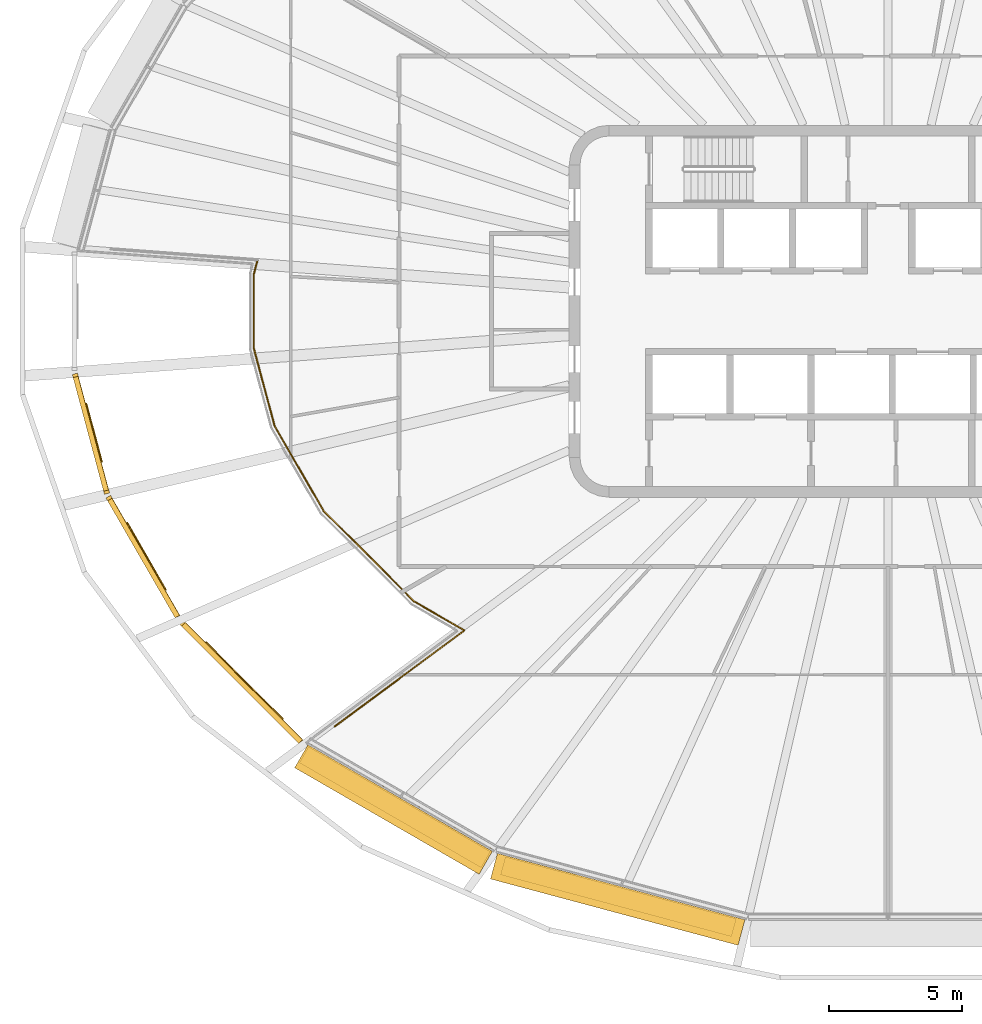
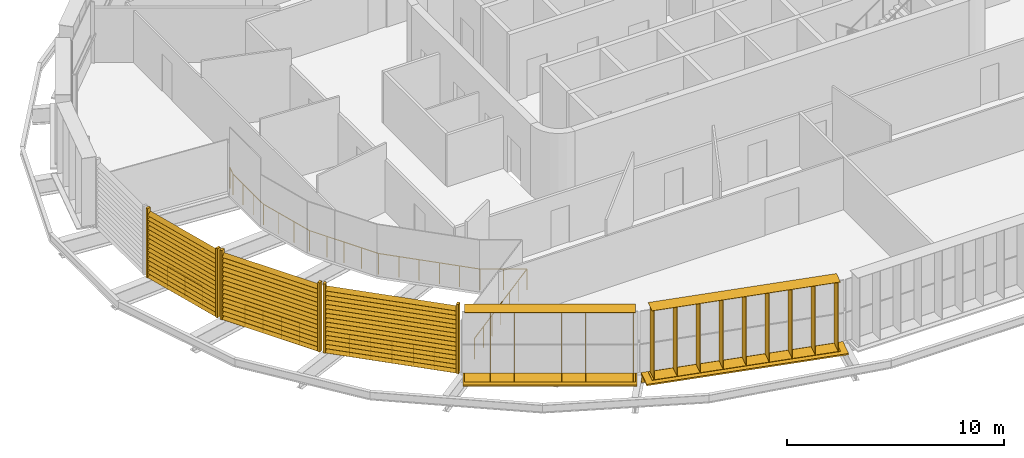
# One storey, part 16 of 20: 7 shading devices, 4 railings.
"""IFC4 building model written with IfcOpenShell, lengths in metres."""

from ifc_helpers import new_model, si_unit, direction, frame, origin, origin_2d, place, context, subcontext, project, spatial, rectangle, circle, extrude, material, type_object, element, save


model = new_model("IFC4")

# Units and contexts
model_context = context("Model", 3, precision=1e-05, world=origin(), true_north=direction((0.0, 1.0)))
body_context = subcontext(model_context, "Body", "Model", "MODEL_VIEW")
ifc_project = project(units=[si_unit("LENGTHUNIT", "METRE"), si_unit("AREAUNIT", "SQUARE_METRE"), si_unit("VOLUMEUNIT", "CUBIC_METRE"), si_unit("PLANEANGLEUNIT", "RADIAN"), si_unit("MASSUNIT", "GRAM", prefix="KILO")], contexts=[model_context])

# Site, building, storey
site_placement = place(None, origin())
site = spatial("IfcSite", under=ifc_project, at=site_placement, CompositionType="ELEMENT")
building_placement = place(site_placement, origin())
building = spatial("IfcBuilding", under=site, at=building_placement, Name="Sahrelin Media Tower", CompositionType="ELEMENT")
storey_placement = place(building_placement, frame((0.0, 0.0, 225.60009765625)))
storey = spatial("IfcBuildingStorey", under=building, at=storey_placement, Name="L48", CompositionType="ELEMENT", Elevation=225.60009765625)

# Shading devices
ifc_material_1 = material(Name="Champagne anodised aluminium 6063-T6", Category="aluminium")
shading_device_type_1 = type_object("IfcShadingDeviceType", Name="Fin cassette", PredefinedType="USERDEFINED", material=ifc_material_1)
placement_1 = place(storey_placement, frame((-18.352294921875, -18.30078125, 0.0), z_axis=(0.0, 0.0, 1.0), x_axis=(-0.866019052629, 0.500011000363, 0.0)))
element("IfcShadingDevice", 1, at=placement_1, inside=storey, type_object=shading_device_type_1, Name="L48:FIN:L48-16", ObjectType="FIN", PredefinedType="USERDEFINED", context=body_context, shape_type="SweptSolid", body=[
    extrude(rectangle(XDim=7.89990234375, YDim=0.699951171875, at=origin_2d()), frame((0.0, 0.419921875, 0.0)), (0.0, 0.0, 1.0), 0.02001953125),
    extrude(rectangle(XDim=7.89990234375, YDim=0.699951171875, at=origin_2d()), frame((0.0, 0.419921875, 3.89990234375)), (0.0, 0.0, 1.0), 0.02001953125),
    extrude(rectangle(XDim=0.02001953125, YDim=0.699951171875, at=origin_2d()), frame((-3.85009765625, 0.419921875, 0.010009765625), z_axis=(0.0, 0.0, 1.0), x_axis=(1.0, 0.0, 0.0)), (0.0, 0.0, 1.0), 3.89990234375),
    extrude(rectangle(XDim=0.02001953125, YDim=0.699951171875, at=origin_2d()), frame((-2.75, 0.419921875, 0.010009765625), z_axis=(0.0, 0.0, 1.0), x_axis=(1.0, 0.0, 0.0)), (0.0, 0.0, 1.0), 3.89990234375),
    extrude(rectangle(XDim=0.02001953125, YDim=0.699951171875, at=origin_2d()), frame((-1.64990234375, 0.419921875, 0.010009765625), z_axis=(0.0, 0.0, 1.0), x_axis=(1.0, 0.0, 0.0)), (0.0, 0.0, 1.0), 3.89990234375),
    extrude(rectangle(XDim=0.02001953125, YDim=0.699951171875, at=origin_2d()), frame((-0.550048828125, 0.419921875, 0.010009765625), z_axis=(0.0, 0.0, 1.0), x_axis=(1.0, 0.0, 0.0)), (0.0, 0.0, 1.0), 3.89990234375),
    extrude(rectangle(XDim=0.02001953125, YDim=0.699951171875, at=origin_2d()), frame((0.550048828125, 0.419921875, 0.010009765625), z_axis=(0.0, 0.0, 1.0), x_axis=(1.0, 0.0, 0.0)), (0.0, 0.0, 1.0), 3.89990234375),
    extrude(rectangle(XDim=0.02001953125, YDim=0.699951171875, at=origin_2d()), frame((1.64990234375, 0.419921875, 0.010009765625), z_axis=(0.0, 0.0, 1.0), x_axis=(1.0, 0.0, 0.0)), (0.0, 0.0, 1.0), 3.89990234375),
    extrude(rectangle(XDim=0.02001953125, YDim=0.699951171875, at=origin_2d()), frame((2.75, 0.419921875, 0.010009765625), z_axis=(0.0, 0.0, 1.0), x_axis=(1.0, 0.0, 0.0)), (0.0, 0.0, 1.0), 3.89990234375),
    extrude(rectangle(XDim=0.02001953125, YDim=0.699951171875, at=origin_2d()), frame((3.85009765625, 0.419921875, 0.010009765625), z_axis=(0.0, 0.0, 1.0), x_axis=(1.0, 0.0, 0.0)), (0.0, 0.0, 1.0), 3.89990234375),
])
placement_2 = place(storey_placement, frame((-10.039794921875, -21.62890625, 0.0), z_axis=(0.0, 0.0, 1.0), x_axis=(-0.965928857556, 0.258807731996, 0.0)))
element("IfcShadingDevice", 2, at=placement_2, inside=storey, type_object=shading_device_type_1, Name="L48:FIN:L48-17", ObjectType="FIN", PredefinedType="USERDEFINED", context=body_context, shape_type="SweptSolid", body=[
    extrude(rectangle(XDim=9.0, YDim=0.699951171875, at=origin_2d()), frame((0.0, 0.419921875, 0.0)), (0.0, 0.0, 1.0), 0.02001953125),
    extrude(rectangle(XDim=9.0, YDim=0.699951171875, at=origin_2d()), frame((0.0, 0.419921875, 3.89990234375)), (0.0, 0.0, 1.0), 0.02001953125),
    extrude(rectangle(XDim=0.02001953125, YDim=0.699951171875, at=origin_2d()), frame((-4.39990234375, 0.419921875, 0.010009765625), z_axis=(0.0, 0.0, 1.0), x_axis=(1.0, 0.0, 0.0)), (0.0, 0.0, 1.0), 3.89990234375),
    extrude(rectangle(XDim=0.02001953125, YDim=0.699951171875, at=origin_2d()), frame((-3.300048828125, 0.419921875, 0.010009765625), z_axis=(0.0, 0.0, 1.0), x_axis=(1.0, 0.0, 0.0)), (0.0, 0.0, 1.0), 3.89990234375),
    extrude(rectangle(XDim=0.02001953125, YDim=0.699951171875, at=origin_2d()), frame((-2.199951171875, 0.419921875, 0.010009765625), z_axis=(0.0, 0.0, 1.0), x_axis=(1.0, 0.0, 0.0)), (0.0, 0.0, 1.0), 3.89990234375),
    extrude(rectangle(XDim=0.02001953125, YDim=0.699951171875, at=origin_2d()), frame((-1.10009765625, 0.419921875, 0.010009765625), z_axis=(0.0, 0.0, 1.0), x_axis=(1.0, 0.0, 0.0)), (0.0, 0.0, 1.0), 3.89990234375),
    extrude(rectangle(XDim=0.02001953125, YDim=0.699951171875, at=origin_2d()), frame((0.0, 0.419921875, 0.010009765625), z_axis=(0.0, 0.0, 1.0), x_axis=(1.0, 0.0, 0.0)), (0.0, 0.0, 1.0), 3.89990234375),
    extrude(rectangle(XDim=0.02001953125, YDim=0.699951171875, at=origin_2d()), frame((1.10009765625, 0.419921875, 0.010009765625), z_axis=(0.0, 0.0, 1.0), x_axis=(1.0, 0.0, 0.0)), (0.0, 0.0, 1.0), 3.89990234375),
    extrude(rectangle(XDim=0.02001953125, YDim=0.699951171875, at=origin_2d()), frame((2.199951171875, 0.419921875, 0.010009765625), z_axis=(0.0, 0.0, 1.0), x_axis=(1.0, 0.0, 0.0)), (0.0, 0.0, 1.0), 3.89990234375),
    extrude(rectangle(XDim=0.02001953125, YDim=0.699951171875, at=origin_2d()), frame((3.300048828125, 0.419921875, 0.010009765625), z_axis=(0.0, 0.0, 1.0), x_axis=(1.0, 0.0, 0.0)), (0.0, 0.0, 1.0), 3.89990234375),
    extrude(rectangle(XDim=0.02001953125, YDim=0.699951171875, at=origin_2d()), frame((4.39990234375, 0.419921875, 0.010009765625), z_axis=(0.0, 0.0, 1.0), x_axis=(1.0, 0.0, 0.0)), (0.0, 0.0, 1.0), 3.89990234375),
])
shading_device_type_2 = type_object("IfcShadingDeviceType", Name="Garden screen", PredefinedType="USERDEFINED", material=ifc_material_1)
shading_device_3_placement = place(storey_placement, frame((-29.901611328125, -4.5830078125, 0.0), z_axis=(0.0, 0.0, 1.0), x_axis=(-0.258807731996, 0.965928857556, 0.0)))
element("IfcShadingDevice", 3, at=shading_device_3_placement, inside=storey, type_object=shading_device_type_2, Name="L48:SCREEN:L48-13", ObjectType="SCREEN", PredefinedType="USERDEFINED", context=body_context, shape_type="SweptSolid", body=[
    extrude(rectangle(XDim=0.1201171875, YDim=0.199951171875, at=origin_2d()), frame((2.2744140625, 0.10009765625, 0.050048828125), z_axis=(0.0, 0.0, 1.0), x_axis=(1.0, 0.0, 0.0)), (0.0, 0.0, 1.0), 3.89990234375),
    extrude(rectangle(XDim=0.1201171875, YDim=0.199951171875, at=origin_2d()), frame((-2.2744140625, 0.10009765625, 0.050048828125), z_axis=(0.0, 0.0, 1.0), x_axis=(1.0, 0.0, 0.0)), (0.0, 0.0, 1.0), 3.89990234375),
    extrude(rectangle(XDim=0.25, YDim=0.02001953125, at=origin_2d()), frame((2.21435546875, 0.10009765625, 0.14990234375), z_axis=(-1.0, 0.0, 0.0), x_axis=(0.0, -0.766044443119, 0.642787609687)), (0.0, 0.0, 1.0), 4.4287109375),
    extrude(rectangle(XDim=0.25, YDim=0.02001953125, at=origin_2d()), frame((2.21435546875, 0.10009765625, 0.39990234375), z_axis=(-1.0, 0.0, 0.0), x_axis=(0.0, -0.766044443119, 0.642787609687)), (0.0, 0.0, 1.0), 4.4287109375),
    extrude(rectangle(XDim=0.25, YDim=0.02001953125, at=origin_2d()), frame((2.21435546875, 0.10009765625, 0.64990234375), z_axis=(-1.0, 0.0, 0.0), x_axis=(0.0, -0.766044443119, 0.642787609687)), (0.0, 0.0, 1.0), 4.4287109375),
    extrude(rectangle(XDim=0.25, YDim=0.02001953125, at=origin_2d()), frame((2.21435546875, 0.10009765625, 0.89990234375), z_axis=(-1.0, 0.0, 0.0), x_axis=(0.0, -0.766044443119, 0.642787609687)), (0.0, 0.0, 1.0), 4.4287109375),
    extrude(rectangle(XDim=0.25, YDim=0.02001953125, at=origin_2d()), frame((2.21435546875, 0.10009765625, 1.14990234375), z_axis=(-1.0, 0.0, 0.0), x_axis=(0.0, -0.766044443119, 0.642787609687)), (0.0, 0.0, 1.0), 4.4287109375),
    extrude(rectangle(XDim=0.25, YDim=0.02001953125, at=origin_2d()), frame((2.21435546875, 0.10009765625, 1.39990234375), z_axis=(-1.0, 0.0, 0.0), x_axis=(0.0, -0.766044443119, 0.642787609687)), (0.0, 0.0, 1.0), 4.4287109375),
    extrude(rectangle(XDim=0.25, YDim=0.02001953125, at=origin_2d()), frame((2.21435546875, 0.10009765625, 1.64990234375), z_axis=(-1.0, 0.0, 0.0), x_axis=(0.0, -0.766044443119, 0.642787609687)), (0.0, 0.0, 1.0), 4.4287109375),
    extrude(rectangle(XDim=0.25, YDim=0.02001953125, at=origin_2d()), frame((2.21435546875, 0.10009765625, 1.89990234375), z_axis=(-1.0, 0.0, 0.0), x_axis=(0.0, -0.766044443119, 0.642787609687)), (0.0, 0.0, 1.0), 4.4287109375),
    extrude(rectangle(XDim=0.25, YDim=0.02001953125, at=origin_2d()), frame((2.21435546875, 0.10009765625, 2.14990234375), z_axis=(-1.0, 0.0, 0.0), x_axis=(0.0, -0.766044443119, 0.642787609687)), (0.0, 0.0, 1.0), 4.4287109375),
    extrude(rectangle(XDim=0.25, YDim=0.02001953125, at=origin_2d()), frame((2.21435546875, 0.10009765625, 2.39990234375), z_axis=(-1.0, 0.0, 0.0), x_axis=(0.0, -0.766044443119, 0.642787609687)), (0.0, 0.0, 1.0), 4.4287109375),
    extrude(rectangle(XDim=0.25, YDim=0.02001953125, at=origin_2d()), frame((2.21435546875, 0.10009765625, 2.64990234375), z_axis=(-1.0, 0.0, 0.0), x_axis=(0.0, -0.766044443119, 0.642787609687)), (0.0, 0.0, 1.0), 4.4287109375),
    extrude(rectangle(XDim=0.25, YDim=0.02001953125, at=origin_2d()), frame((2.21435546875, 0.10009765625, 2.89990234375), z_axis=(-1.0, 0.0, 0.0), x_axis=(0.0, -0.766044443119, 0.642787609687)), (0.0, 0.0, 1.0), 4.4287109375),
    extrude(rectangle(XDim=0.25, YDim=0.02001953125, at=origin_2d()), frame((2.21435546875, 0.10009765625, 3.14990234375), z_axis=(-1.0, 0.0, 0.0), x_axis=(0.0, -0.766044443119, 0.642787609687)), (0.0, 0.0, 1.0), 4.4287109375),
    extrude(rectangle(XDim=0.25, YDim=0.02001953125, at=origin_2d()), frame((2.21435546875, 0.10009765625, 3.39990234375), z_axis=(-1.0, 0.0, 0.0), x_axis=(0.0, -0.766044443119, 0.642787609687)), (0.0, 0.0, 1.0), 4.4287109375),
    extrude(rectangle(XDim=0.25, YDim=0.02001953125, at=origin_2d()), frame((2.21435546875, 0.10009765625, 3.64990234375), z_axis=(-1.0, 0.0, 0.0), x_axis=(0.0, -0.766044443119, 0.642787609687)), (0.0, 0.0, 1.0), 4.4287109375),
])
shading_device_4_placement = place(storey_placement, frame((-27.927978515625, -9.235595703125, 0.0), z_axis=(0.0, 0.0, 1.0), x_axis=(-0.500011000363, 0.866019052629, 0.0)))
element("IfcShadingDevice", 4, at=shading_device_4_placement, inside=storey, type_object=shading_device_type_2, Name="L48:SCREEN:L48-14", ObjectType="SCREEN", PredefinedType="USERDEFINED", context=body_context, shape_type="SweptSolid", body=[
    extrude(rectangle(XDim=0.1201171875, YDim=0.199951171875, at=origin_2d()), frame((2.60302734375, 0.10009765625, 0.050048828125), z_axis=(0.0, 0.0, 1.0), x_axis=(1.0, 0.0, 0.0)), (0.0, 0.0, 1.0), 3.89990234375),
    extrude(rectangle(XDim=0.1201171875, YDim=0.199951171875, at=origin_2d()), frame((-2.60302734375, 0.10009765625, 0.050048828125), z_axis=(0.0, 0.0, 1.0), x_axis=(1.0, 0.0, 0.0)), (0.0, 0.0, 1.0), 3.89990234375),
    extrude(rectangle(XDim=0.25, YDim=0.02001953125, at=origin_2d()), frame((2.543212890625, 0.10009765625, 0.14990234375), z_axis=(-1.0, 0.0, 0.0), x_axis=(0.0, -0.766044443119, 0.642787609687)), (0.0, 0.0, 1.0), 5.08642578125),
    extrude(rectangle(XDim=0.25, YDim=0.02001953125, at=origin_2d()), frame((2.543212890625, 0.10009765625, 0.39990234375), z_axis=(-1.0, 0.0, 0.0), x_axis=(0.0, -0.766044443119, 0.642787609687)), (0.0, 0.0, 1.0), 5.08642578125),
    extrude(rectangle(XDim=0.25, YDim=0.02001953125, at=origin_2d()), frame((2.543212890625, 0.10009765625, 0.64990234375), z_axis=(-1.0, 0.0, 0.0), x_axis=(0.0, -0.766044443119, 0.642787609687)), (0.0, 0.0, 1.0), 5.08642578125),
    extrude(rectangle(XDim=0.25, YDim=0.02001953125, at=origin_2d()), frame((2.543212890625, 0.10009765625, 0.89990234375), z_axis=(-1.0, 0.0, 0.0), x_axis=(0.0, -0.766044443119, 0.642787609687)), (0.0, 0.0, 1.0), 5.08642578125),
    extrude(rectangle(XDim=0.25, YDim=0.02001953125, at=origin_2d()), frame((2.543212890625, 0.10009765625, 1.14990234375), z_axis=(-1.0, 0.0, 0.0), x_axis=(0.0, -0.766044443119, 0.642787609687)), (0.0, 0.0, 1.0), 5.08642578125),
    extrude(rectangle(XDim=0.25, YDim=0.02001953125, at=origin_2d()), frame((2.543212890625, 0.10009765625, 1.39990234375), z_axis=(-1.0, 0.0, 0.0), x_axis=(0.0, -0.766044443119, 0.642787609687)), (0.0, 0.0, 1.0), 5.08642578125),
    extrude(rectangle(XDim=0.25, YDim=0.02001953125, at=origin_2d()), frame((2.543212890625, 0.10009765625, 1.64990234375), z_axis=(-1.0, 0.0, 0.0), x_axis=(0.0, -0.766044443119, 0.642787609687)), (0.0, 0.0, 1.0), 5.08642578125),
    extrude(rectangle(XDim=0.25, YDim=0.02001953125, at=origin_2d()), frame((2.543212890625, 0.10009765625, 1.89990234375), z_axis=(-1.0, 0.0, 0.0), x_axis=(0.0, -0.766044443119, 0.642787609687)), (0.0, 0.0, 1.0), 5.08642578125),
    extrude(rectangle(XDim=0.25, YDim=0.02001953125, at=origin_2d()), frame((2.543212890625, 0.10009765625, 2.14990234375), z_axis=(-1.0, 0.0, 0.0), x_axis=(0.0, -0.766044443119, 0.642787609687)), (0.0, 0.0, 1.0), 5.08642578125),
    extrude(rectangle(XDim=0.25, YDim=0.02001953125, at=origin_2d()), frame((2.543212890625, 0.10009765625, 2.39990234375), z_axis=(-1.0, 0.0, 0.0), x_axis=(0.0, -0.766044443119, 0.642787609687)), (0.0, 0.0, 1.0), 5.08642578125),
    extrude(rectangle(XDim=0.25, YDim=0.02001953125, at=origin_2d()), frame((2.543212890625, 0.10009765625, 2.64990234375), z_axis=(-1.0, 0.0, 0.0), x_axis=(0.0, -0.766044443119, 0.642787609687)), (0.0, 0.0, 1.0), 5.08642578125),
    extrude(rectangle(XDim=0.25, YDim=0.02001953125, at=origin_2d()), frame((2.543212890625, 0.10009765625, 2.89990234375), z_axis=(-1.0, 0.0, 0.0), x_axis=(0.0, -0.766044443119, 0.642787609687)), (0.0, 0.0, 1.0), 5.08642578125),
    extrude(rectangle(XDim=0.25, YDim=0.02001953125, at=origin_2d()), frame((2.543212890625, 0.10009765625, 3.14990234375), z_axis=(-1.0, 0.0, 0.0), x_axis=(0.0, -0.766044443119, 0.642787609687)), (0.0, 0.0, 1.0), 5.08642578125),
    extrude(rectangle(XDim=0.25, YDim=0.02001953125, at=origin_2d()), frame((2.543212890625, 0.10009765625, 3.39990234375), z_axis=(-1.0, 0.0, 0.0), x_axis=(0.0, -0.766044443119, 0.642787609687)), (0.0, 0.0, 1.0), 5.08642578125),
    extrude(rectangle(XDim=0.25, YDim=0.02001953125, at=origin_2d()), frame((2.543212890625, 0.10009765625, 3.64990234375), z_axis=(-1.0, 0.0, 0.0), x_axis=(0.0, -0.766044443119, 0.642787609687)), (0.0, 0.0, 1.0), 5.08642578125),
])
shading_device_5_placement = place(storey_placement, frame((-24.240478515625, -13.916015625, 0.0), z_axis=(0.0, 0.0, 1.0), x_axis=(-0.707106781187, 0.707106781187, 0.0)))
element("IfcShadingDevice", 5, at=shading_device_5_placement, inside=storey, type_object=shading_device_type_2, Name="L48:SCREEN:L48-15", ObjectType="SCREEN", PredefinedType="USERDEFINED", context=body_context, shape_type="SweptSolid", body=[
    extrude(rectangle(XDim=0.1201171875, YDim=0.199951171875, at=origin_2d()), frame((3.18603515625, 0.10009765625, 0.050048828125), z_axis=(0.0, 0.0, 1.0), x_axis=(1.0, 0.0, 0.0)), (0.0, 0.0, 1.0), 3.89990234375),
    extrude(rectangle(XDim=0.1201171875, YDim=0.199951171875, at=origin_2d()), frame((-3.18603515625, 0.10009765625, 0.050048828125), z_axis=(0.0, 0.0, 1.0), x_axis=(1.0, 0.0, 0.0)), (0.0, 0.0, 1.0), 3.89990234375),
    extrude(rectangle(XDim=0.25, YDim=0.02001953125, at=origin_2d()), frame((3.126220703125, 0.10009765625, 0.14990234375), z_axis=(-1.0, 0.0, 0.0), x_axis=(0.0, -0.766044443119, 0.642787609687)), (0.0, 0.0, 1.0), 6.25244140625),
    extrude(rectangle(XDim=0.25, YDim=0.02001953125, at=origin_2d()), frame((3.126220703125, 0.10009765625, 0.39990234375), z_axis=(-1.0, 0.0, 0.0), x_axis=(0.0, -0.766044443119, 0.642787609687)), (0.0, 0.0, 1.0), 6.25244140625),
    extrude(rectangle(XDim=0.25, YDim=0.02001953125, at=origin_2d()), frame((3.126220703125, 0.10009765625, 0.64990234375), z_axis=(-1.0, 0.0, 0.0), x_axis=(0.0, -0.766044443119, 0.642787609687)), (0.0, 0.0, 1.0), 6.25244140625),
    extrude(rectangle(XDim=0.25, YDim=0.02001953125, at=origin_2d()), frame((3.126220703125, 0.10009765625, 0.89990234375), z_axis=(-1.0, 0.0, 0.0), x_axis=(0.0, -0.766044443119, 0.642787609687)), (0.0, 0.0, 1.0), 6.25244140625),
    extrude(rectangle(XDim=0.25, YDim=0.02001953125, at=origin_2d()), frame((3.126220703125, 0.10009765625, 1.14990234375), z_axis=(-1.0, 0.0, 0.0), x_axis=(0.0, -0.766044443119, 0.642787609687)), (0.0, 0.0, 1.0), 6.25244140625),
    extrude(rectangle(XDim=0.25, YDim=0.02001953125, at=origin_2d()), frame((3.126220703125, 0.10009765625, 1.39990234375), z_axis=(-1.0, 0.0, 0.0), x_axis=(0.0, -0.766044443119, 0.642787609687)), (0.0, 0.0, 1.0), 6.25244140625),
    extrude(rectangle(XDim=0.25, YDim=0.02001953125, at=origin_2d()), frame((3.126220703125, 0.10009765625, 1.64990234375), z_axis=(-1.0, 0.0, 0.0), x_axis=(0.0, -0.766044443119, 0.642787609687)), (0.0, 0.0, 1.0), 6.25244140625),
    extrude(rectangle(XDim=0.25, YDim=0.02001953125, at=origin_2d()), frame((3.126220703125, 0.10009765625, 1.89990234375), z_axis=(-1.0, 0.0, 0.0), x_axis=(0.0, -0.766044443119, 0.642787609687)), (0.0, 0.0, 1.0), 6.25244140625),
    extrude(rectangle(XDim=0.25, YDim=0.02001953125, at=origin_2d()), frame((3.126220703125, 0.10009765625, 2.14990234375), z_axis=(-1.0, 0.0, 0.0), x_axis=(0.0, -0.766044443119, 0.642787609687)), (0.0, 0.0, 1.0), 6.25244140625),
    extrude(rectangle(XDim=0.25, YDim=0.02001953125, at=origin_2d()), frame((3.126220703125, 0.10009765625, 2.39990234375), z_axis=(-1.0, 0.0, 0.0), x_axis=(0.0, -0.766044443119, 0.642787609687)), (0.0, 0.0, 1.0), 6.25244140625),
    extrude(rectangle(XDim=0.25, YDim=0.02001953125, at=origin_2d()), frame((3.126220703125, 0.10009765625, 2.64990234375), z_axis=(-1.0, 0.0, 0.0), x_axis=(0.0, -0.766044443119, 0.642787609687)), (0.0, 0.0, 1.0), 6.25244140625),
    extrude(rectangle(XDim=0.25, YDim=0.02001953125, at=origin_2d()), frame((3.126220703125, 0.10009765625, 2.89990234375), z_axis=(-1.0, 0.0, 0.0), x_axis=(0.0, -0.766044443119, 0.642787609687)), (0.0, 0.0, 1.0), 6.25244140625),
    extrude(rectangle(XDim=0.25, YDim=0.02001953125, at=origin_2d()), frame((3.126220703125, 0.10009765625, 3.14990234375), z_axis=(-1.0, 0.0, 0.0), x_axis=(0.0, -0.766044443119, 0.642787609687)), (0.0, 0.0, 1.0), 6.25244140625),
    extrude(rectangle(XDim=0.25, YDim=0.02001953125, at=origin_2d()), frame((3.126220703125, 0.10009765625, 3.39990234375), z_axis=(-1.0, 0.0, 0.0), x_axis=(0.0, -0.766044443119, 0.642787609687)), (0.0, 0.0, 1.0), 6.25244140625),
    extrude(rectangle(XDim=0.25, YDim=0.02001953125, at=origin_2d()), frame((3.126220703125, 0.10009765625, 3.64990234375), z_axis=(-1.0, 0.0, 0.0), x_axis=(0.0, -0.766044443119, 0.642787609687)), (0.0, 0.0, 1.0), 6.25244140625),
])

# Railings
ifc_material_2 = material(Name="Stainless steel 316", Category="steel")
railing_type = type_object("IfcRailingType", Name="Sky garden guard", PredefinedType="GUARDRAIL", material=ifc_material_2)
railing_1_placement = place(storey_placement, frame((-23.729736328125, 1.923095703125, 0.0)))
element("IfcRailing", 6, at=railing_1_placement, inside=storey, type_object=railing_type, Name="Sky garden void guard G4-1", PredefinedType="GUARDRAIL", context=body_context, shape_type="SweptSolid", body=[
    extrude(circle(Radius=0.02392578125, at=origin_2d()), frame((0.0, 0.0, 1.17578125), z_axis=(-0.258766394341, -0.96593993248, 0.0), x_axis=(0.96593993248, -0.258766394341, 0.0)), (0.0, 0.0, 1.0), 0.536865234375),
    extrude(circle(Radius=0.02392578125, at=origin_2d()), frame((-0.138916015625, -0.5185546875, 1.17578125), z_axis=(0.0, -1.0, 0.0), x_axis=(1.0, 0.0, 0.0)), (0.0, 0.0, 1.0), 2.80908203125),
    extrude(circle(Radius=0.02392578125, at=origin_2d()), frame((-0.138916015625, -3.32763671875, 1.17578125), z_axis=(0.25881561742, -0.965926744727, 0.0), x_axis=(0.965926744727, 0.25881561742, 0.0)), (0.0, 0.0, 1.0), 3.017578125),
    extrude(circle(Radius=0.02392578125, at=origin_2d()), frame((0.64208984375, -6.242431640625, 1.17578125), z_axis=(0.500004211896, -0.866022972032, 0.0), x_axis=(0.866022972032, 0.500004211896, 0.0)), (0.0, 0.0, 1.0), 3.67529296875),
    extrude(circle(Radius=0.02392578125, at=origin_2d()), frame((2.479736328125, -9.42529296875, 1.17578125), z_axis=(0.707131995827, -0.707081565647, 0.0), x_axis=(0.707081565647, 0.707131995827, 0.0)), (0.0, 0.0, 1.0), 4.841064453125),
    extrude(circle(Radius=0.02392578125, at=origin_2d()), frame((5.903076171875, -12.848388671875, 1.17578125), z_axis=(0.86599274334, -0.500056565283, 0.0), x_axis=(0.500056565283, 0.86599274334, 0.0)), (0.0, 0.0, 1.0), 2.171630859375),
    extrude(circle(Radius=0.02392578125, at=origin_2d()), frame((7.78369140625, -13.934326171875, 1.17578125), z_axis=(-0.803266302774, -0.595620052405, 0.0), x_axis=(0.595620052405, -0.803266302774, 0.0)), (0.0, 0.0, 1.0), 6.068115234375),
    extrude(circle(Radius=0.02099609375, at=origin_2d()), origin(), (0.0, 0.0, 1.0), 1.15185546875),
    extrude(circle(Radius=0.02099609375, at=origin_2d()), frame((-0.138916015625, -0.5185546875, 0.0)), (0.0, 0.0, 1.0), 1.15185546875),
    extrude(circle(Radius=0.02099609375, at=origin_2d()), frame((-0.138916015625, -1.454833984375, 0.0)), (0.0, 0.0, 1.0), 1.15185546875),
    extrude(circle(Radius=0.02099609375, at=origin_2d()), frame((-0.138916015625, -2.391357421875, 0.0)), (0.0, 0.0, 1.0), 1.15185546875),
    extrude(circle(Radius=0.02099609375, at=origin_2d()), frame((-0.138916015625, -3.32763671875, 0.0)), (0.0, 0.0, 1.0), 1.15185546875),
    extrude(circle(Radius=0.02099609375, at=origin_2d()), frame((0.121337890625, -4.29931640625, 0.0)), (0.0, 0.0, 1.0), 1.15185546875),
    extrude(circle(Radius=0.02099609375, at=origin_2d()), frame((0.3818359375, -5.270751953125, 0.0)), (0.0, 0.0, 1.0), 1.15185546875),
    extrude(circle(Radius=0.02099609375, at=origin_2d()), frame((0.64208984375, -6.242431640625, 0.0)), (0.0, 0.0, 1.0), 1.15185546875),
    extrude(circle(Radius=0.02099609375, at=origin_2d()), frame((1.1015625, -7.0380859375, 0.0)), (0.0, 0.0, 1.0), 1.15185546875),
    extrude(circle(Radius=0.02099609375, at=origin_2d()), frame((1.56103515625, -7.833984375, 0.0)), (0.0, 0.0, 1.0), 1.15185546875),
    extrude(circle(Radius=0.02099609375, at=origin_2d()), frame((2.020263671875, -8.629638671875, 0.0)), (0.0, 0.0, 1.0), 1.15185546875),
    extrude(circle(Radius=0.02099609375, at=origin_2d()), frame((2.479736328125, -9.42529296875, 0.0)), (0.0, 0.0, 1.0), 1.15185546875),
    extrude(circle(Radius=0.02099609375, at=origin_2d()), frame((3.164306640625, -10.10986328125, 0.0)), (0.0, 0.0, 1.0), 1.15185546875),
    extrude(circle(Radius=0.02099609375, at=origin_2d()), frame((3.84912109375, -10.79443359375, 0.0)), (0.0, 0.0, 1.0), 1.15185546875),
    extrude(circle(Radius=0.02099609375, at=origin_2d()), frame((4.53369140625, -11.479248046875, 0.0)), (0.0, 0.0, 1.0), 1.15185546875),
    extrude(circle(Radius=0.02099609375, at=origin_2d()), frame((5.218505859375, -12.163818359375, 0.0)), (0.0, 0.0, 1.0), 1.15185546875),
    extrude(circle(Radius=0.02099609375, at=origin_2d()), frame((5.903076171875, -12.848388671875, 0.0)), (0.0, 0.0, 1.0), 1.15185546875),
    extrude(circle(Radius=0.02099609375, at=origin_2d()), frame((6.84326171875, -13.391357421875, 0.0)), (0.0, 0.0, 1.0), 1.15185546875),
    extrude(circle(Radius=0.02099609375, at=origin_2d()), frame((7.78369140625, -13.934326171875, 0.0)), (0.0, 0.0, 1.0), 1.15185546875),
    extrude(circle(Radius=0.02099609375, at=origin_2d()), frame((6.97119140625, -14.53662109375, 0.0)), (0.0, 0.0, 1.0), 1.15185546875),
    extrude(circle(Radius=0.02099609375, at=origin_2d()), frame((6.158935546875, -15.13916015625, 0.0)), (0.0, 0.0, 1.0), 1.15185546875),
    extrude(circle(Radius=0.02099609375, at=origin_2d()), frame((5.3466796875, -15.741455078125, 0.0)), (0.0, 0.0, 1.0), 1.15185546875),
    extrude(circle(Radius=0.02099609375, at=origin_2d()), frame((4.5341796875, -16.34375, 0.0)), (0.0, 0.0, 1.0), 1.15185546875),
    extrude(circle(Radius=0.02099609375, at=origin_2d()), frame((3.7216796875, -16.9462890625, 0.0)), (0.0, 0.0, 1.0), 1.15185546875),
    extrude(circle(Radius=0.02099609375, at=origin_2d()), frame((2.909423828125, -17.548583984375, 0.0)), (0.0, 0.0, 1.0), 1.15185546875),
])
railing_2_placement = place(storey_placement, frame((-22.783447265625, -15.34130859375, 0.0)))
element("IfcRailing", 7, at=railing_2_placement, inside=storey, type_object=railing_type, Name="Sky garden void guard G4-2", PredefinedType="GUARDRAIL", context=body_context, shape_type="SweptSolid", body=[
    extrude(circle(Radius=0.02392578125, at=origin_2d()), frame((0.0, 0.0, 1.17578125), z_axis=(-0.707106781187, 0.707106781187, 0.0), x_axis=(-0.707106781187, -0.707106781187, 0.0)), (0.0, 0.0, 1.0), 4.07666015625),
    extrude(circle(Radius=0.02099609375, at=origin_2d()), origin(), (0.0, 0.0, 1.0), 1.15185546875),
    extrude(circle(Radius=0.02099609375, at=origin_2d()), frame((-0.720703125, 0.720703125, 0.0)), (0.0, 0.0, 1.0), 1.15185546875),
    extrude(circle(Radius=0.02099609375, at=origin_2d()), frame((-1.44140625, 1.44140625, 0.0)), (0.0, 0.0, 1.0), 1.15185546875),
    extrude(circle(Radius=0.02099609375, at=origin_2d()), frame((-2.161865234375, 2.161865234375, 0.0)), (0.0, 0.0, 1.0), 1.15185546875),
    extrude(circle(Radius=0.02099609375, at=origin_2d()), frame((-2.882568359375, 2.882568359375, 0.0)), (0.0, 0.0, 1.0), 1.15185546875),
])
railing_3_placement = place(storey_placement, frame((-27.1787109375, -10.48828125, 0.0)))
element("IfcRailing", 8, at=railing_3_placement, inside=storey, type_object=railing_type, Name="Sky garden void guard G4-3", PredefinedType="GUARDRAIL", context=body_context, shape_type="SweptSolid", body=[
    extrude(circle(Radius=0.02392578125, at=origin_2d()), frame((0.0, 0.0, 1.17578125), z_axis=(-0.499973600159, 0.866040645203, 0.0), x_axis=(-0.866040645203, -0.499973600159, 0.0)), (0.0, 0.0, 1.0), 2.917236328125),
    extrude(circle(Radius=0.02099609375, at=origin_2d()), origin(), (0.0, 0.0, 1.0), 1.15185546875),
    extrude(circle(Radius=0.02099609375, at=origin_2d()), frame((-0.486083984375, 0.842041015625, 0.0)), (0.0, 0.0, 1.0), 1.15185546875),
    extrude(circle(Radius=0.02099609375, at=origin_2d()), frame((-0.972412109375, 1.684326171875, 0.0)), (0.0, 0.0, 1.0), 1.15185546875),
    extrude(circle(Radius=0.02099609375, at=origin_2d()), frame((-1.45849609375, 2.5263671875, 0.0)), (0.0, 0.0, 1.0), 1.15185546875),
])
railing_4_placement = place(storey_placement, frame((-29.587646484375, -5.667724609375, 0.0)))
element("IfcRailing", 9, at=railing_4_placement, inside=storey, type_object=railing_type, Name="Sky garden void guard G4-4", PredefinedType="GUARDRAIL", context=body_context, shape_type="SweptSolid", body=[
    extrude(circle(Radius=0.02392578125, at=origin_2d()), frame((0.0, 0.0, 1.17578125), z_axis=(-0.258772089929, 0.965938406667, 0.0), x_axis=(-0.965938406667, -0.258772089929, 0.0)), (0.0, 0.0, 1.0), 2.259521484375),
    extrude(circle(Radius=0.02099609375, at=origin_2d()), origin(), (0.0, 0.0, 1.0), 1.15185546875),
    extrude(circle(Radius=0.02099609375, at=origin_2d()), frame((-0.29248046875, 1.09130859375, 0.0)), (0.0, 0.0, 1.0), 1.15185546875),
    extrude(circle(Radius=0.02099609375, at=origin_2d()), frame((-0.584716796875, 2.1826171875, 0.0)), (0.0, 0.0, 1.0), 1.15185546875),
])

# Shading devices
shading_device_type_3 = type_object("IfcShadingDeviceType", Name="Sunshade band", PredefinedType="USERDEFINED", material=ifc_material_1)
element("IfcShadingDevice", 10, at=placement_1, inside=storey, type_object=shading_device_type_3, Name="L48:SUN:L48-16", ObjectType="SUNSHADE", PredefinedType="USERDEFINED", context=body_context, shape_type="SweptSolid", body=[
    extrude(rectangle(XDim=8.01611328125, YDim=0.050048828125, at=origin_2d()), frame((0.0, 0.044921875, -0.55126953125)), (0.0, 0.0, 1.0), 0.471435546875),
    extrude(rectangle(XDim=8.01611328125, YDim=1.0, at=origin_2d()), frame((0.0, 0.52001953125, -0.080078125)), (0.0, 0.0, 1.0), 0.080078125),
    extrude(rectangle(XDim=0.10009765625, YDim=0.074951171875, at=origin_2d()), frame((-3.907958984375, -0.017578125, -0.47021484375)), (0.0, 0.0, 1.0), 0.300048828125),
    extrude(rectangle(XDim=0.10009765625, YDim=0.074951171875, at=origin_2d()), frame((-2.3447265625, -0.017578125, -0.47021484375)), (0.0, 0.0, 1.0), 0.300048828125),
    extrude(rectangle(XDim=0.10009765625, YDim=0.074951171875, at=origin_2d()), frame((-0.781494140625, -0.017578125, -0.47021484375)), (0.0, 0.0, 1.0), 0.300048828125),
    extrude(rectangle(XDim=0.10009765625, YDim=0.074951171875, at=origin_2d()), frame((0.781494140625, -0.017578125, -0.47021484375)), (0.0, 0.0, 1.0), 0.300048828125),
    extrude(rectangle(XDim=0.10009765625, YDim=0.074951171875, at=origin_2d()), frame((2.3447265625, -0.017578125, -0.47021484375)), (0.0, 0.0, 1.0), 0.300048828125),
    extrude(rectangle(XDim=0.10009765625, YDim=0.074951171875, at=origin_2d()), frame((3.907958984375, -0.017578125, -0.47021484375)), (0.0, 0.0, 1.0), 0.300048828125),
])
element("IfcShadingDevice", 11, at=placement_2, inside=storey, type_object=shading_device_type_3, Name="L48:SUN:L48-17", ObjectType="SUNSHADE", PredefinedType="USERDEFINED", context=body_context, shape_type="SweptSolid", body=[
    extrude(rectangle(XDim=9.645263671875, YDim=0.050048828125, at=origin_2d()), frame((0.0, 0.044921875, -0.55126953125)), (0.0, 0.0, 1.0), 0.471435546875),
    extrude(rectangle(XDim=9.645263671875, YDim=1.0, at=origin_2d()), frame((0.0, 0.52001953125, -0.080078125)), (0.0, 0.0, 1.0), 0.080078125),
    extrude(rectangle(XDim=0.10009765625, YDim=0.074951171875, at=origin_2d()), frame((-4.72265625, -0.017578125, -0.47021484375)), (0.0, 0.0, 1.0), 0.300048828125),
    extrude(rectangle(XDim=0.10009765625, YDim=0.074951171875, at=origin_2d()), frame((-2.83349609375, -0.017578125, -0.47021484375)), (0.0, 0.0, 1.0), 0.300048828125),
    extrude(rectangle(XDim=0.10009765625, YDim=0.074951171875, at=origin_2d()), frame((-0.944580078125, -0.017578125, -0.47021484375)), (0.0, 0.0, 1.0), 0.300048828125),
    extrude(rectangle(XDim=0.10009765625, YDim=0.074951171875, at=origin_2d()), frame((0.944580078125, -0.017578125, -0.47021484375)), (0.0, 0.0, 1.0), 0.300048828125),
    extrude(rectangle(XDim=0.10009765625, YDim=0.074951171875, at=origin_2d()), frame((2.83349609375, -0.017578125, -0.47021484375)), (0.0, 0.0, 1.0), 0.300048828125),
    extrude(rectangle(XDim=0.10009765625, YDim=0.074951171875, at=origin_2d()), frame((4.72265625, -0.017578125, -0.47021484375)), (0.0, 0.0, 1.0), 0.300048828125),
])

save(model, "model.ifc")
